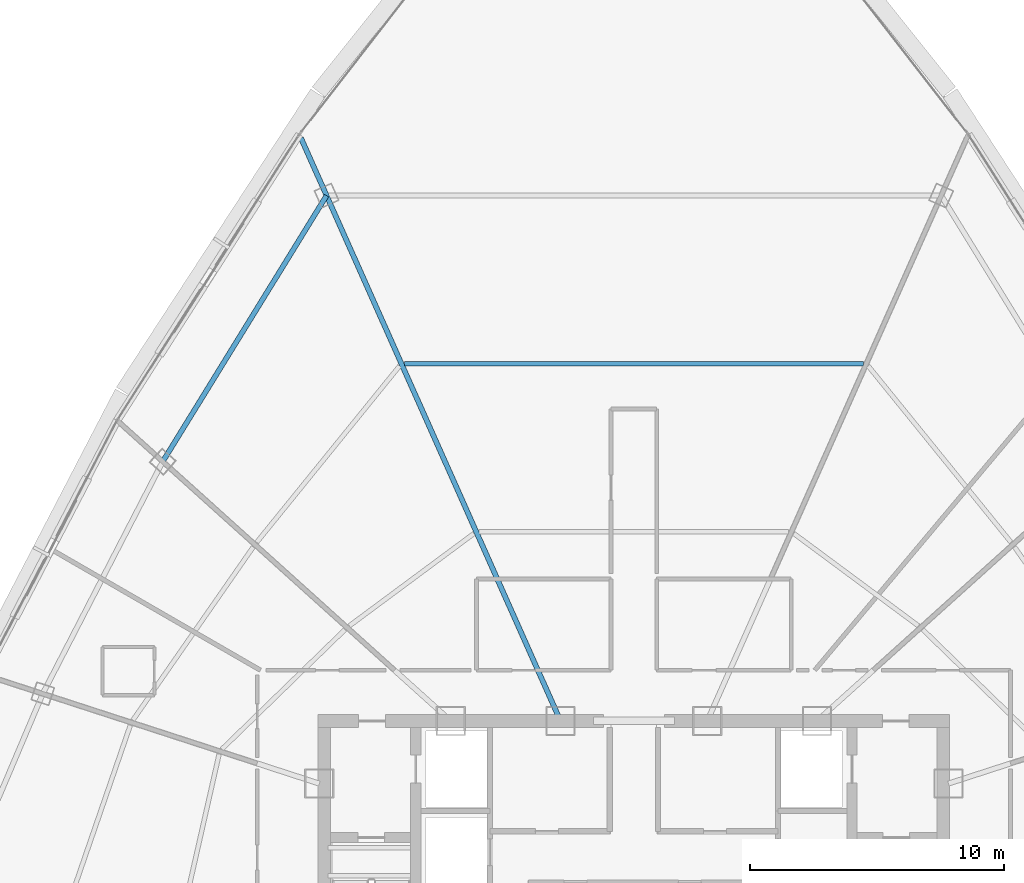
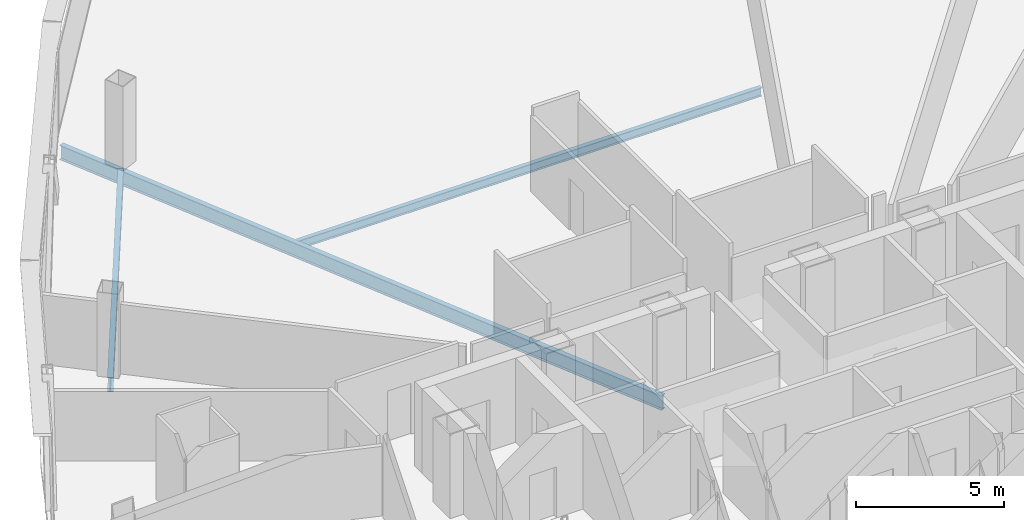
# One storey, part 21 of 40: 3 beams.
"""IFC4 building model written with IfcOpenShell, lengths in metres."""

from ifc_helpers import new_model, si_unit, direction, frame, origin, origin_2d, place, context, subcontext, project, spatial, i_section, extrude, source, transform, mapped, material, material_profile, profile_set, type_object, element, save


model = new_model("IFC4")

# Units and contexts
model_context = context("Model", 3, precision=1e-05, world=origin(), true_north=direction((0.0, 1.0)))
body_context = subcontext(model_context, "Body", "Model", "MODEL_VIEW")
ifc_project = project(units=[si_unit("LENGTHUNIT", "METRE"), si_unit("AREAUNIT", "SQUARE_METRE"), si_unit("VOLUMEUNIT", "CUBIC_METRE"), si_unit("PLANEANGLEUNIT", "RADIAN"), si_unit("MASSUNIT", "GRAM", prefix="KILO"), si_unit("THERMODYNAMICTEMPERATUREUNIT", "KELVIN"), si_unit("POWERUNIT", "WATT")], contexts=[model_context])

# Site, building, storey
site_placement = place(None, origin())
site = spatial("IfcSite", under=ifc_project, at=site_placement, CompositionType="ELEMENT")
building_placement = place(site_placement, origin())
building = spatial("IfcBuilding", under=site, at=building_placement, Name="Yunzhuo Pagoda Commons", CompositionType="ELEMENT")
storey_placement = place(building_placement, frame((0.0, 0.0, 292.47998046875)))
storey = spatial("IfcBuildingStorey", under=building, at=storey_placement, Name="L73", CompositionType="ELEMENT", Elevation=292.47998046875)

# Beams
ifc_material = material(Name="Structural steel Q355B", Category="steel")
ifc_material_profile_1 = material_profile(ifc_material, i_section(OverallWidth=0.199951171875, OverallDepth=0.60009765625, WebThickness=0.010986328125, FlangeThickness=0.01708984375, at=origin_2d()), Name="Structural steel Q355B")
ifc_profile_set_1 = profile_set([ifc_material_profile_1], Name="Structural steel Q355B")
beam_type_1 = type_object("IfcBeamType", Name="B-RG3 Beam HN 600x200x11x17", PredefinedType="BEAM", material=ifc_profile_set_1)
shared_shape_1 = source(origin(), body_context, "Body", "SweptSolid", [
    extrude(i_section(OverallWidth=0.199951171875, OverallDepth=0.60009765625, WebThickness=0.010986328125, FlangeThickness=0.01708984375, at=origin_2d()), origin(), (0.0, 0.0, 1.0), 12.315185546875),
])
beam_1_placement = place(storey_placement, frame((35.8857421875, 60.9091796875, -0.56005859375), z_axis=(-0.524469015689, -0.851429534126, 0.0), x_axis=(0.851429534126, -0.524469015689, 0.0)))
element("IfcBeam", 1, at=beam_1_placement, inside=storey, type_object=beam_type_1, Name="L73 column-ring beam 9", PredefinedType="BEAM", context=body_context, shape_type="MappedRepresentation", body=[
    mapped(shared_shape_1, transform((0.0, 0.0, 0.0), scale=1.0)),
])
ifc_material_profile_2 = material_profile(ifc_material, i_section(OverallWidth=0.175048828125, OverallDepth=0.35009765625, WebThickness=0.007080078125, FlangeThickness=0.010986328125, at=origin_2d()), Name="Structural steel Q355B")
ifc_profile_set_2 = profile_set([ifc_material_profile_2], Name="Structural steel Q355B")
beam_type_2 = type_object("IfcBeamType", Name="B-JS2 Joist HN 350x175x7x11", PredefinedType="JOIST", material=ifc_profile_set_2)
shared_shape_2 = source(origin(), body_context, "Body", "SweptSolid", [
    extrude(i_section(OverallWidth=0.175048828125, OverallDepth=0.35009765625, WebThickness=0.007080078125, FlangeThickness=0.010986328125, at=origin_2d()), origin(), (0.0, 0.0, 1.0), 18.09765625),
])
beam_2_placement = place(storey_placement, frame((57.048828125, 54.2822265625, -0.43505859375), z_axis=(-1.0, 0.0, 0.0), x_axis=(0.0, -1.0, 0.0)))
element("IfcBeam", 2, at=beam_2_placement, inside=storey, type_object=beam_type_2, Name="L73 composite ring joist 2.8", PredefinedType="JOIST", context=body_context, shape_type="MappedRepresentation", body=[
    mapped(shared_shape_2, transform((0.0, 0.0, 0.0), scale=1.0)),
])
shared_shape_3 = source(origin(), body_context, "Body", "SweptSolid", [
    extrude(i_section(OverallWidth=0.199951171875, OverallDepth=0.60009765625, WebThickness=0.010986328125, FlangeThickness=0.01708984375, at=origin_2d()), origin(), (0.0, 0.0, 1.0), 25.15283203125),
])
beam_3_placement = place(storey_placement, frame((34.87548828125, 63.17822265625, -0.56005859375), z_axis=(0.40673276589, -0.913547183867, 0.0), x_axis=(0.913547183867, 0.40673276589, 0.0)))
element("IfcBeam", 3, at=beam_3_placement, inside=storey, type_object=beam_type_1, Name="L73 radial floor girder F3C1", PredefinedType="BEAM", context=body_context, shape_type="MappedRepresentation", body=[
    mapped(shared_shape_3, transform((0.0, 0.0, 0.0), scale=1.0)),
])

save(model, "model.ifc")
